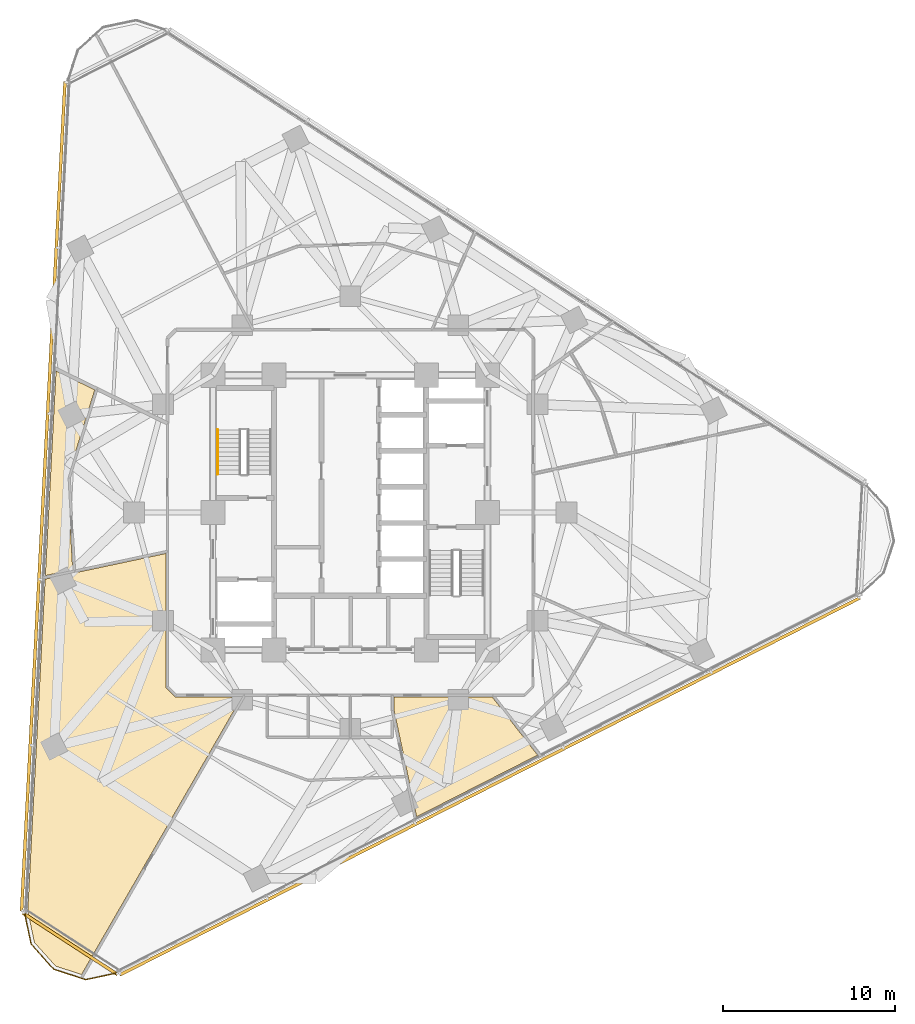
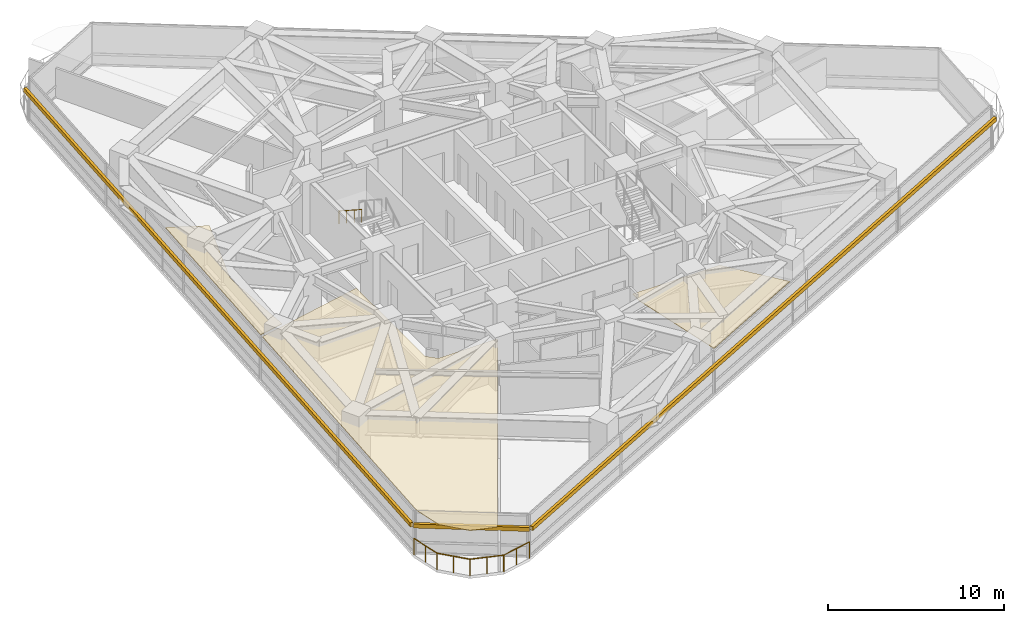
# One storey, part 13 of 15: 3 coverings, 3 shading devices, 2 railings.
"""IFC4 building model written with IfcOpenShell, lengths in metres."""

from ifc_helpers import new_model, si_unit, direction, frame, origin, origin_2d, place, context, subcontext, project, spatial, polyline, rectangle, circle, outline, extrude, material, layer, layer_set, type_object, element, save


model = new_model("IFC4")

# Units and contexts
model_context = context("Model", 3, precision=1e-05, world=origin(), true_north=direction((0.0, 1.0)))
body_context = subcontext(model_context, "Body", "Model", "MODEL_VIEW")
ifc_project = project(units=[si_unit("LENGTHUNIT", "METRE"), si_unit("AREAUNIT", "SQUARE_METRE"), si_unit("VOLUMEUNIT", "CUBIC_METRE"), si_unit("PLANEANGLEUNIT", "RADIAN"), si_unit("MASSUNIT", "GRAM", prefix="KILO")], contexts=[model_context])

# Site, building, storey
site_placement = place(None, origin())
site = spatial("IfcSite", under=ifc_project, at=site_placement, CompositionType="ELEMENT")
building_placement = place(site_placement, origin())
building = spatial("IfcBuilding", under=site, at=building_placement, Name="Terralouvre Media Tower", CompositionType="ELEMENT")
storey_placement = place(building_placement, frame((0.0, 0.0, 145.800048828125)))
storey = spatial("IfcBuildingStorey", under=building, at=storey_placement, Name="L37", CompositionType="ELEMENT", Elevation=145.800048828125)

# Coverings
ifc_material_1 = material(Name="Perforated aluminium acoustic ceiling baffle", Category="aluminium")
ifc_layer_1 = layer(ifc_material_1, 0.0400390625, Name="Perforated Acoustic Metal Tile Ceiling CL-AC1")
ifc_layer_set_1 = layer_set([ifc_layer_1], Name="Perforated aluminium acoustic ceiling baffle")
covering_type = type_object("IfcCoveringType", Name="Perforated Acoustic Metal Tile Ceiling CL-AC1", PredefinedType="CEILING", material=ifc_layer_set_1)
covering_1_placement = place(storey_placement, frame((0.0, 0.0, 2.93994140625), z_axis=(0.0, 0.0, 1.0), x_axis=(0.891006524188, 0.45399049974, 0.0)))
element("IfcCovering", 1, at=covering_1_placement, inside=storey, type_object=covering_type, Name="L37 Graphics Desk Office 1 Acoustic Ceiling", PredefinedType="CEILING", context=body_context, shape_type="SweptSolid", body=[
    extrude(outline(polyline([(-10.513427734375, -6.7080078125), (-13.924072265625, -4.97021484375), (-13.9326171875, -4.96533203125), (-13.940673828125, -4.959716796875), (-13.947998046875, -4.953369140625), (-13.954833984375, -4.946044921875), (-13.960693359375, -4.9384765625), (-13.966064453125, -4.929931640625), (-13.97021484375, -4.92138671875), (-13.973876953125, -4.912109375), (-14.1923828125, -4.239501953125), (-14.19482421875, -4.230224609375), (-14.196533203125, -4.220458984375), (-14.197265625, -4.210693359375), (-14.197021484375, -4.200927734375), (-14.195556640625, -4.191162109375), (-14.193603515625, -4.181640625), (-14.1904296875, -4.17236328125), (-14.186279296875, -4.163330078125), (-10.662109375, 2.753173828125), (-15.894287109375, 4.155029296875), (-17.603271484375, 4.61376953125), (-27.285400390625, -12.15673828125), (-27.771728515625, -13.9716796875), (-27.293212890625, -15.7578125), (-26.17333984375, -16.878173828125), (-13.241455078125, -8.479736328125), (-10.513427734375, -6.7080078125)])), origin(), (0.0, 0.0, 1.0), 0.0400390625),
])
covering_2_placement = place(storey_placement, frame((0.0, 0.0, 2.93994140625), z_axis=(0.0, 0.0, 1.0), x_axis=(0.891006524188, 0.45399049974, 0.0)))
element("IfcCovering", 2, at=covering_2_placement, inside=storey, type_object=covering_type, Name="L37 Breaking Desk Editorial Office 4 Acoustic Ceiling", PredefinedType="CEILING", context=body_context, shape_type="SweptSolid", body=[
    extrude(outline(polyline([(2.490234375, -13.333740234375), (-2.6083984375, -10.736083984375), (-2.955810546875, -11.41796875), (-3.97314453125, -15.213623046875), (-4.599853515625, -17.551513671875), (3.31005859375, -17.5517578125), (2.9638671875, -15.772216796875), (2.490234375, -13.333740234375)])), origin(), (0.0, 0.0, 1.0), 0.0400390625),
])
covering_3_placement = place(storey_placement, frame((0.0, 0.0, 2.93994140625), z_axis=(0.0, 0.0, 1.0), x_axis=(0.891006524188, 0.45399049974, 0.0)))
element("IfcCovering", 3, at=covering_3_placement, inside=storey, type_object=covering_type, Name="L37 Wire Copy Workspace 14 Acoustic Ceiling", PredefinedType="CEILING", context=body_context, shape_type="SweptSolid", body=[
    extrude(outline(polyline([(-13.7705078125, 9.26708984375), (-13.7666015625, 9.275146484375), (-13.761962890625, 9.28271484375), (-13.756591796875, 9.2900390625), (-13.750732421875, 9.296630859375), (-10.017578125, 13.12841796875), (-11.530029296875, 15.134033203125), (-17.499755859375, 4.79296875), (-15.92529296875, 4.370361328125), (-13.7705078125, 9.26708984375)])), origin(), (0.0, 0.0, 1.0), 0.0400390625),
])

# Railings
ifc_material_2 = material(Name="Stainless steel 316 handrail and balustrade", Category="steel")
ifc_layer_2 = layer(ifc_material_2, 0.06005859375, Name="Roof Edge Safety Guardrail GR-ROOF1")
ifc_layer_set_2 = layer_set([ifc_layer_2], Name="Stainless steel 316 handrail and balustrade")
railing_type_1 = type_object("IfcRailingType", Name="Roof Edge Safety Guardrail GR-ROOF1", PredefinedType="GUARDRAIL", material=ifc_layer_set_2)
railing_1_placement = place(storey_placement, frame((-19.004638671875, -23.22509765625, 0.0)))
element("IfcRailing", 4, at=railing_1_placement, inside=storey, type_object=railing_type_1, Name="L37 Wind-Corner Perimeter Safety Guardrail C0", PredefinedType="GUARDRAIL", context=body_context, shape_type="SweptSolid", body=[
    extrude(circle(Radius=0.02099609375, at=origin_2d()), frame((0.0, 0.0, 1.12890625), z_axis=(0.20770581411, -0.978191338535, 0.0), x_axis=(0.978191338535, 0.20770581411, 0.0)), (0.0, 0.0, 1.0), 1.966552734375),
    extrude(circle(Radius=0.02099609375, at=origin_2d()), frame((0.408447265625, -1.923583984375, 1.12890625), z_axis=(0.669067634628, -0.743201520648, 0.0), x_axis=(0.743201520648, 0.669067634628, 0.0)), (0.0, 0.0, 1.0), 1.966064453125),
    extrude(circle(Radius=0.02099609375, at=origin_2d()), frame((1.723876953125, -3.384765625, 1.12890625), z_axis=(0.951088800654, -0.308917615669, 0.0), x_axis=(0.308917615669, 0.951088800654, 0.0)), (0.0, 0.0, 1.0), 1.96630859375),
    extrude(circle(Radius=0.02099609375, at=origin_2d()), frame((3.593994140625, -3.9921875, 1.12890625), z_axis=(0.978110230454, 0.208087426535, 0.0), x_axis=(-0.208087426535, 0.978110230454, 0.0)), (0.0, 0.0, 1.0), 1.96630859375),
    extrude(circle(Radius=0.01904296875, at=origin_2d()), origin(), (0.0, 0.0, 1.0), 1.10791015625),
    extrude(circle(Radius=0.01904296875, at=origin_2d()), frame((0.2041015625, -0.9619140625, 0.0)), (0.0, 0.0, 1.0), 1.10791015625),
    extrude(circle(Radius=0.01904296875, at=origin_2d()), frame((0.408447265625, -1.923583984375, 0.0)), (0.0, 0.0, 1.0), 1.10791015625),
    extrude(circle(Radius=0.01904296875, at=origin_2d()), frame((1.066162109375, -2.654296875, 0.0)), (0.0, 0.0, 1.0), 1.10791015625),
    extrude(circle(Radius=0.01904296875, at=origin_2d()), frame((1.723876953125, -3.384765625, 0.0)), (0.0, 0.0, 1.0), 1.10791015625),
    extrude(circle(Radius=0.01904296875, at=origin_2d()), frame((2.658935546875, -3.6884765625, 0.0)), (0.0, 0.0, 1.0), 1.10791015625),
    extrude(circle(Radius=0.01904296875, at=origin_2d()), frame((3.593994140625, -3.9921875, 0.0)), (0.0, 0.0, 1.0), 1.10791015625),
    extrude(circle(Radius=0.01904296875, at=origin_2d()), frame((4.5556640625, -3.78759765625, 0.0)), (0.0, 0.0, 1.0), 1.10791015625),
    extrude(circle(Radius=0.01904296875, at=origin_2d()), frame((5.517333984375, -3.5830078125, 0.0)), (0.0, 0.0, 1.0), 1.10791015625),
])
ifc_material_3 = material(Name="Stainless steel 316 handrail and balustrade", Category="steel")
ifc_layer_3 = layer(ifc_material_3, 0.050048828125, Name="Stair Flight Wall Handrail HR-INT1")
ifc_layer_set_3 = layer_set([ifc_layer_3], Name="Stainless steel 316 handrail and balustrade")
railing_type_2 = type_object("IfcRailingType", Name="Stair Flight Wall Handrail HR-INT1", PredefinedType="HANDRAIL", material=ifc_layer_set_3)
railing_2_placement = place(storey_placement, frame((-7.72998046875, 4.820068359375, 2.01806640625)))
element("IfcRailing", 5, at=railing_2_placement, inside=storey, type_object=railing_type_2, Name="L37 ST-01 stair handrail 2", PredefinedType="HANDRAIL", context=body_context, shape_type="SweptSolid", body=[
    extrude(circle(Radius=0.02392578125, at=origin_2d()), frame((0.0, 0.0, 0.8759765625), z_axis=(0.0, -0.839648411786, 0.543130320075), x_axis=(1.0, 0.0, 0.0)), (0.0, 0.0, 1.0), 3.0966796875),
    extrude(circle(Radius=0.02099609375, at=origin_2d()), origin(), (0.0, 0.0, 1.0), 0.851806640625),
    extrude(circle(Radius=0.02099609375, at=origin_2d()), frame((0.0, -0.86669921875, 0.560546875)), (0.0, 0.0, 1.0), 0.851806640625),
    extrude(circle(Radius=0.02099609375, at=origin_2d()), frame((0.0, -1.7333984375, 1.121337890625)), (0.0, 0.0, 1.0), 0.851806640625),
    extrude(circle(Radius=0.02099609375, at=origin_2d()), frame((0.0, -2.60009765625, 1.681884765625)), (0.0, 0.0, 1.0), 0.851806640625),
])

# Shading devices
ifc_material_4 = material(Name="Extruded terracotta baguette sunshade louvres", Category="masonry")
shading_device_type = type_object("IfcShadingDeviceType", Name="Terracotta Baguette Sunshade Louvre Screen TB-LV1", PredefinedType="USERDEFINED", material=ifc_material_4)
for number, where, z_axis, x_axis, name in (
    (6, (8.1318359375, -15.959716796875, 1.9990234375), (0.0, 0.0, 1.0), (0.891006501178, 0.4539905449, 0.0), "CW-L37-F0 Terracotta Baguette Sunshade Louvre"),
    (7, (-17.887451171875, 0.9375, 1.9990234375), (0.0, 0.0, 1.0), (-0.052335949864, -0.998629535089, 0.0), "CW-L37-F2 Terracotta Baguette Sunshade Louvre"),
):
    element("IfcShadingDevice", number, at=place(storey_placement, frame(where, z_axis=z_axis, x_axis=x_axis)), inside=storey, type_object=shading_device_type, Name=name, ObjectType="BAGUETTE", PredefinedType="USERDEFINED", context=body_context, shape_type="SweptSolid", body=[
        extrude(rectangle(XDim=48.39990234375, YDim=0.179931640625, at=origin_2d()), origin(), (0.0, 0.0, 1.0), 0.280029296875),
    ])
shading_device_placement = place(storey_placement, frame((-16.3193359375, -25.129638671875, 1.9990234375), z_axis=(0.0, 0.0, 1.0), x_axis=(0.838670390568, -0.544639308152, 0.0)))
element("IfcShadingDevice", 8, at=shading_device_placement, inside=storey, type_object=shading_device_type, Name="CW-L37-C0 Terracotta Baguette Sunshade Louvre", ObjectType="BAGUETTE", PredefinedType="USERDEFINED", context=body_context, shape_type="SweptSolid", body=[
    extrude(rectangle(XDim=6.581787109375, YDim=0.179931640625, at=origin_2d()), origin(), (0.0, 0.0, 1.0), 0.280029296875),
])

save(model, "model.ifc")
